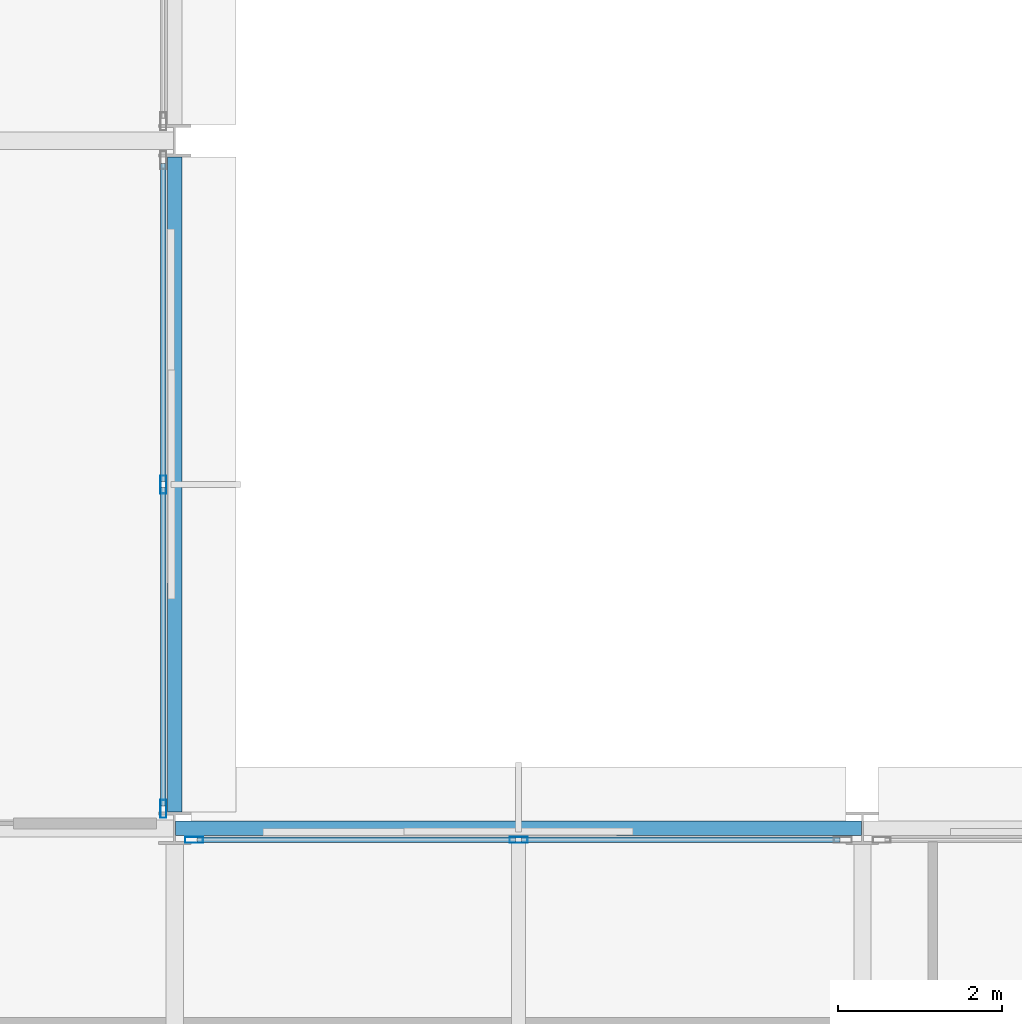
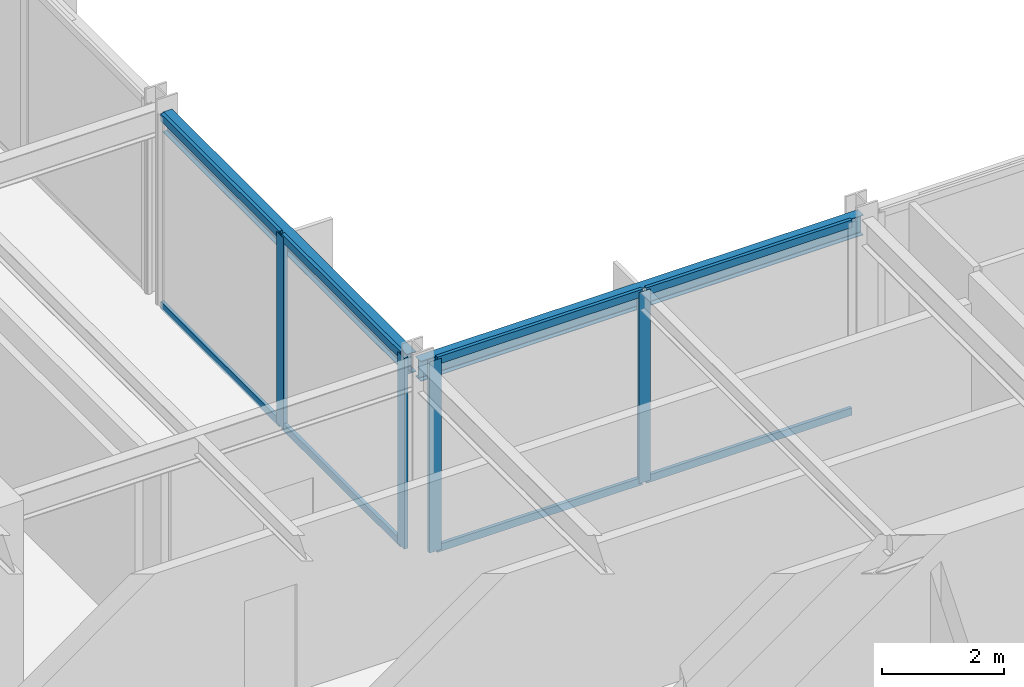
# One storey, part 9 of 25: 12 members, 2 beams, 2 elements without a shape of their own.
"""IFC4 building model written with IfcOpenShell, lengths in metres."""

from ifc_helpers import new_model, si_unit, direction, frame, origin, origin_2d, place, context, subcontext, project, spatial, hollow_rectangle, i_section, extrude, material, layer, layer_set, material_profile, profile_set, type_object, element, aggregate, save


model = new_model("IFC4")

# Units and contexts
model_context = context("Model", 3, precision=1e-05, world=origin(), true_north=direction((0.0, 1.0)))
body_context = subcontext(model_context, "Body", "Model", "MODEL_VIEW")
ifc_project = project(units=[si_unit("LENGTHUNIT", "METRE"), si_unit("AREAUNIT", "SQUARE_METRE"), si_unit("VOLUMEUNIT", "CUBIC_METRE"), si_unit("PLANEANGLEUNIT", "RADIAN"), si_unit("MASSUNIT", "GRAM", prefix="KILO")], contexts=[model_context])

# Site, building, storey
site_placement = place(None, origin())
site = spatial("IfcSite", under=ifc_project, at=site_placement, CompositionType="ELEMENT")
building_placement = place(site_placement, origin())
building = spatial("IfcBuilding", under=site, at=building_placement, Name="Nerrivon Quay Data Exchange", CompositionType="ELEMENT")
storey_placement = place(building_placement, frame((0.0, 0.0, 113.10009765625)))
storey = spatial("IfcBuildingStorey", under=building, at=storey_placement, Name="L26", CompositionType="ELEMENT", Elevation=113.10009765625)

# Beams
ifc_material_1 = material(Name="Steel Grade 350", Category="steel")
ifc_material_profile_1 = material_profile(ifc_material_1, i_section(OverallWidth=0.177978515625, OverallDepth=0.403076171875, WebThickness=0.007568359375, FlangeThickness=0.010986328125, FilletRadius=0.011474609375, at=origin_2d()), Name="410UB53.7")
ifc_profile_set_1 = profile_set([ifc_material_profile_1], Name="Steel Grade 350")
beam_type = type_object("IfcBeamType", Name="BM-SP2-410UB54", PredefinedType="SPANDREL", material=ifc_profile_set_1)
beam_1_placement = place(storey_placement, frame((25.21240234375, 25.199951171875, 3.623291015625), z_axis=(1.0, 0.0, 0.0), x_axis=(0.0, 1.0, 0.0)))
element("IfcBeam", 1, at=beam_1_placement, inside=storey, type_object=beam_type, Name="L26 EW Girder Y=25.2 (25.2..33.6)", PredefinedType="SPANDREL", context=body_context, shape_type="SweptSolid", body=[
    extrude(i_section(OverallWidth=0.177978515625, OverallDepth=0.403076171875, WebThickness=0.007568359375, FlangeThickness=0.010986328125, FilletRadius=0.011474609375, at=origin_2d()), origin(), (0.0, 0.0, 1.0), 8.375),
])
beam_2_placement = place(storey_placement, frame((25.199951171875, 25.39990234375, 3.623291015625), z_axis=(0.0, 1.0, 0.0), x_axis=(-1.0, 0.0, 0.0)))
element("IfcBeam", 2, at=beam_2_placement, inside=storey, type_object=beam_type, Name="L26 NS Girder X=25.2 (25.2..33.6)", PredefinedType="SPANDREL", context=body_context, shape_type="SweptSolid", body=[
    extrude(i_section(OverallWidth=0.177978515625, OverallDepth=0.403076171875, WebThickness=0.007568359375, FlangeThickness=0.010986328125, FilletRadius=0.011474609375, at=origin_2d()), origin(), (0.0, 0.0, 1.0), 8.0),
])

# Curtain wall, members
ifc_material_2 = material(Name="Anodised aluminium 6063-T6", Category="aluminium")
ifc_layer = layer(ifc_material_2, 0.22998046875)
ifc_layer_set = layer_set([ifc_layer], Name="Anodised aluminium 6063-T6")
curtain_wall_type = type_object("IfcCurtainWallType", Name="CW-SYS-05", PredefinedType="NOTDEFINED", material=ifc_layer_set)
curtain_wall_1_placement = place(storey_placement, origin())
curtain_wall_1 = element("IfcCurtainWall", 3, at=curtain_wall_1_placement, inside=storey, type_object=curtain_wall_type, Name="L26 Unitised Curtain Wall 26", PredefinedType="NOTDEFINED")
ifc_material_profile_2 = material_profile(ifc_material_2, hollow_rectangle(XDim=0.074951171875, YDim=0.219970703125, WallThickness=0.00390625, at=origin_2d()), Name="ALU-MULL-220x75")
ifc_profile_set_2 = profile_set([ifc_material_profile_2], Name="Anodised aluminium 6063-T6")
member_type_1 = type_object("IfcMemberType", Name="CWM-220x75", PredefinedType="MULLION", material=ifc_profile_set_2)
member_1_placement = place(storey_placement, frame((25.06005859375, 29.39990234375, 0.0), z_axis=(0.0, 0.0, 1.0), x_axis=(1.0, 0.0, 0.0)))
member_1 = element("IfcMember", 4, at=member_1_placement, type_object=member_type_1, Name="CW05 mullion 2", PredefinedType="MULLION", context=body_context, shape_type="SweptSolid", body=[
    extrude(hollow_rectangle(XDim=0.074951171875, YDim=0.219970703125, WallThickness=0.00390625, at=origin_2d()), origin(), (0.0, 0.0, 1.0), 3.824951171875),
])
member_2_placement = place(storey_placement, frame((25.06005859375, 25.4375, 0.0), z_axis=(0.0, 0.0, 1.0), x_axis=(1.0, 0.0, 0.0)))
member_2 = element("IfcMember", 5, at=member_2_placement, type_object=member_type_1, Name="CW05 mullion 3", PredefinedType="MULLION", context=body_context, shape_type="SweptSolid", body=[
    extrude(hollow_rectangle(XDim=0.074951171875, YDim=0.219970703125, WallThickness=0.00390625, at=origin_2d()), origin(), (0.0, 0.0, 1.0), 3.824951171875),
])

curtain_wall_2_placement = place(storey_placement, origin())
curtain_wall_2 = element("IfcCurtainWall", 6, at=curtain_wall_2_placement, inside=storey, type_object=curtain_wall_type, Name="L26 Unitised Curtain Wall 27", PredefinedType="NOTDEFINED")
member_3_placement = place(storey_placement, frame((25.4375, 25.06005859375, 0.0), z_axis=(0.0, 0.0, 1.0), x_axis=(0.0, 1.0, 0.0)))
member_3 = element("IfcMember", 7, at=member_3_placement, type_object=member_type_1, Name="CW05 mullion 1", PredefinedType="MULLION", context=body_context, shape_type="SweptSolid", body=[
    extrude(hollow_rectangle(XDim=0.074951171875, YDim=0.219970703125, WallThickness=0.00390625, at=origin_2d()), origin(), (0.0, 0.0, 1.0), 3.824951171875),
])
member_4_placement = place(storey_placement, frame((29.39990234375, 25.06005859375, 0.0), z_axis=(0.0, 0.0, 1.0), x_axis=(0.0, 1.0, 0.0)))
member_4 = element("IfcMember", 8, at=member_4_placement, type_object=member_type_1, Name="CW05 mullion 2", PredefinedType="MULLION", context=body_context, shape_type="SweptSolid", body=[
    extrude(hollow_rectangle(XDim=0.074951171875, YDim=0.219970703125, WallThickness=0.00390625, at=origin_2d()), origin(), (0.0, 0.0, 1.0), 3.824951171875),
])

# Member
ifc_material_profile_3 = material_profile(ifc_material_2, hollow_rectangle(XDim=0.06494140625, YDim=0.14990234375, WallThickness=0.00341796875, at=origin_2d()), Name="ALU-TRAN-150x65")
ifc_profile_set_3 = profile_set([ifc_material_profile_3], Name="Anodised aluminium 6063-T6")
member_type_2 = type_object("IfcMemberType", Name="CWT-150x65", PredefinedType="USERDEFINED", material=ifc_profile_set_3)
member_5_placement = place(storey_placement, frame((25.06005859375, 33.324951171875, 0.032470703125), z_axis=(0.0, -1.0, 0.0), x_axis=(1.0, 0.0, 0.0)))
member_5 = element("IfcMember", 9, at=member_5_placement, type_object=member_type_2, Name="CW05 transom 1.1", ObjectType="TRANSOM", PredefinedType="USERDEFINED", context=body_context, shape_type="SweptSolid", body=[
    extrude(hollow_rectangle(XDim=0.06494140625, YDim=0.14990234375, WallThickness=0.00341796875, at=origin_2d()), origin(), (0.0, 0.0, 1.0), 3.887451171875),
])

member_6_placement = place(storey_placement, frame((25.06005859375, 33.324951171875, 3.79248046875), z_axis=(0.0, -1.0, 0.0), x_axis=(1.0, 0.0, 0.0)))
member_6 = element("IfcMember", 10, at=member_6_placement, type_object=member_type_2, Name="CW05 transom 1.2", ObjectType="TRANSOM", PredefinedType="USERDEFINED", context=body_context, shape_type="SweptSolid", body=[
    extrude(hollow_rectangle(XDim=0.06494140625, YDim=0.14990234375, WallThickness=0.00341796875, at=origin_2d()), origin(), (0.0, 0.0, 1.0), 3.887451171875),
])

member_7_placement = place(storey_placement, frame((25.06005859375, 29.362548828125, 0.032470703125), z_axis=(0.0, -1.0, 0.0), x_axis=(1.0, 0.0, 0.0)))
member_7 = element("IfcMember", 11, at=member_7_placement, type_object=member_type_2, Name="CW05 transom 2.1", ObjectType="TRANSOM", PredefinedType="USERDEFINED", context=body_context, shape_type="SweptSolid", body=[
    extrude(hollow_rectangle(XDim=0.06494140625, YDim=0.14990234375, WallThickness=0.00341796875, at=origin_2d()), origin(), (0.0, 0.0, 1.0), 3.887451171875),
])

member_8_placement = place(storey_placement, frame((25.06005859375, 29.362548828125, 3.79248046875), z_axis=(0.0, -1.0, 0.0), x_axis=(1.0, 0.0, 0.0)))
member_8 = element("IfcMember", 12, at=member_8_placement, type_object=member_type_2, Name="CW05 transom 2.2", ObjectType="TRANSOM", PredefinedType="USERDEFINED", context=body_context, shape_type="SweptSolid", body=[
    extrude(hollow_rectangle(XDim=0.06494140625, YDim=0.14990234375, WallThickness=0.00341796875, at=origin_2d()), origin(), (0.0, 0.0, 1.0), 3.887451171875),
])

aggregate(curtain_wall_1, [member_1, member_2, member_5, member_6, member_7, member_8])

member_9_placement = place(storey_placement, frame((25.47509765625, 25.06005859375, 0.032470703125), z_axis=(1.0, 0.0, 0.0), x_axis=(0.0, 1.0, 0.0)))
member_9 = element("IfcMember", 13, at=member_9_placement, type_object=member_type_2, Name="CW05 transom 1.1", ObjectType="TRANSOM", PredefinedType="USERDEFINED", context=body_context, shape_type="SweptSolid", body=[
    extrude(hollow_rectangle(XDim=0.06494140625, YDim=0.14990234375, WallThickness=0.00341796875, at=origin_2d()), origin(), (0.0, 0.0, 1.0), 3.887451171875),
])

member_10_placement = place(storey_placement, frame((25.47509765625, 25.06005859375, 3.79248046875), z_axis=(1.0, 0.0, 0.0), x_axis=(0.0, 1.0, 0.0)))
member_10 = element("IfcMember", 14, at=member_10_placement, type_object=member_type_2, Name="CW05 transom 1.2", ObjectType="TRANSOM", PredefinedType="USERDEFINED", context=body_context, shape_type="SweptSolid", body=[
    extrude(hollow_rectangle(XDim=0.06494140625, YDim=0.14990234375, WallThickness=0.00341796875, at=origin_2d()), origin(), (0.0, 0.0, 1.0), 3.887451171875),
])

member_11_placement = place(storey_placement, frame((29.4375, 25.06005859375, 0.032470703125), z_axis=(1.0, 0.0, 0.0), x_axis=(0.0, 1.0, 0.0)))
member_11 = element("IfcMember", 15, at=member_11_placement, type_object=member_type_2, Name="CW05 transom 2.1", ObjectType="TRANSOM", PredefinedType="USERDEFINED", context=body_context, shape_type="SweptSolid", body=[
    extrude(hollow_rectangle(XDim=0.06494140625, YDim=0.14990234375, WallThickness=0.00341796875, at=origin_2d()), origin(), (0.0, 0.0, 1.0), 3.887451171875),
])

member_12_placement = place(storey_placement, frame((29.4375, 25.06005859375, 3.79248046875), z_axis=(1.0, 0.0, 0.0), x_axis=(0.0, 1.0, 0.0)))
member_12 = element("IfcMember", 16, at=member_12_placement, type_object=member_type_2, Name="CW05 transom 2.2", ObjectType="TRANSOM", PredefinedType="USERDEFINED", context=body_context, shape_type="SweptSolid", body=[
    extrude(hollow_rectangle(XDim=0.06494140625, YDim=0.14990234375, WallThickness=0.00341796875, at=origin_2d()), origin(), (0.0, 0.0, 1.0), 3.887451171875),
])

aggregate(curtain_wall_2, [member_3, member_4, member_9, member_10, member_11, member_12])

save(model, "model.ifc")
